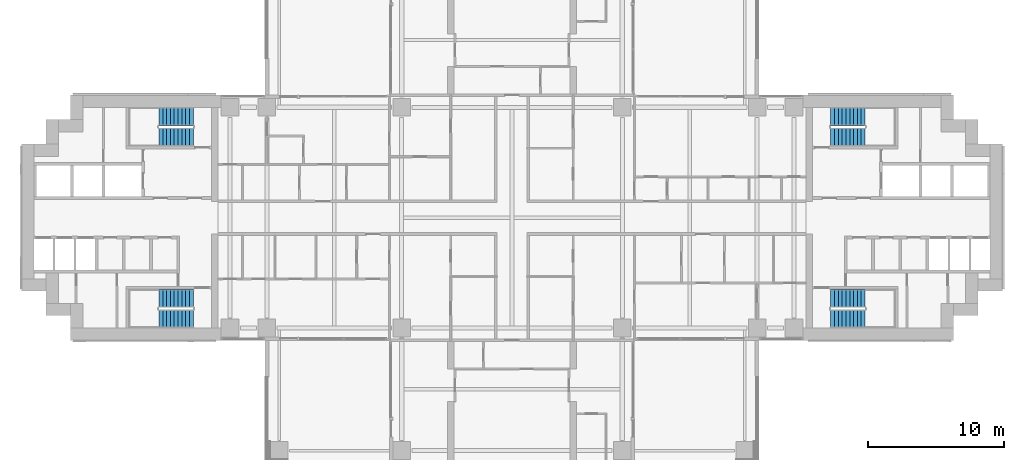
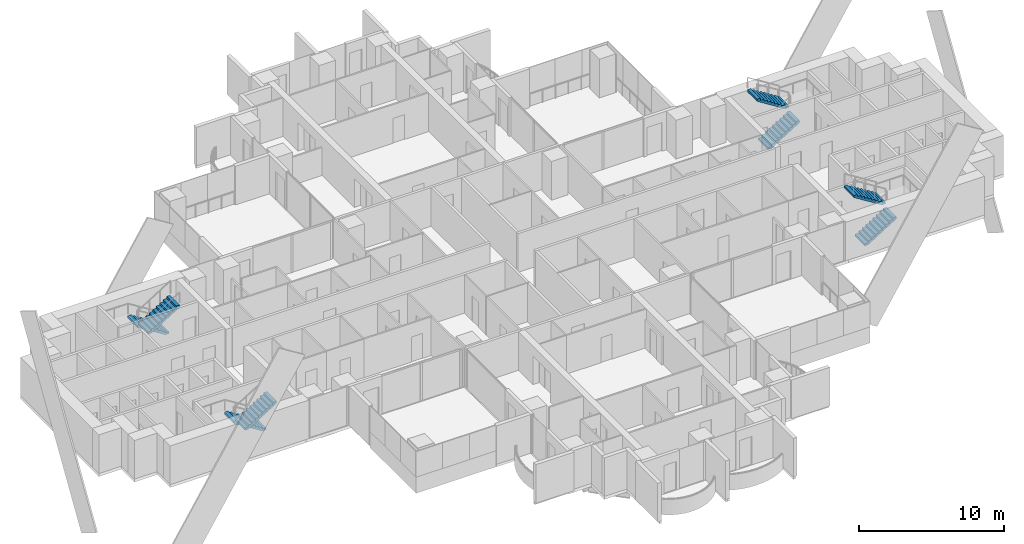
# One storey, part 18 of 23: 8 stair flights, 4 elements without a shape of their own.
"""IFC4 building model written with IfcOpenShell, lengths in metres."""

from ifc_helpers import new_model, si_unit, direction, frame, origin, place, context, subcontext, project, spatial, polyline, outline, extrude, material, type_object, element, aggregate, save


model = new_model("IFC4")

# Units and contexts
model_context = context("Model", 3, precision=1e-05, world=origin(), true_north=direction((0.0, 1.0)))
body_context = subcontext(model_context, "Body", "Model", "MODEL_VIEW")
ifc_project = project(units=[si_unit("LENGTHUNIT", "METRE"), si_unit("AREAUNIT", "SQUARE_METRE"), si_unit("VOLUMEUNIT", "CUBIC_METRE"), si_unit("PLANEANGLEUNIT", "RADIAN"), si_unit("MASSUNIT", "GRAM", prefix="KILO")], contexts=[model_context])

# Site, building, storey
site_placement = place(None, origin())
site = spatial("IfcSite", under=ifc_project, at=site_placement, CompositionType="ELEMENT")
building_placement = place(site_placement, origin())
building = spatial("IfcBuilding", under=site, at=building_placement, Name="Perihelion Cross Residences", CompositionType="ELEMENT")
storey_placement = place(building_placement, frame((0.0, 0.0, 36.5)))
storey = spatial("IfcBuildingStorey", under=building, at=storey_placement, Name="L05", CompositionType="ELEMENT", Elevation=36.5)

# Stair, stair flights
ifc_material_1 = material(Name="Concrete C40/50", Category="concrete")
stair_type = type_object("IfcStairType", Name="Exit stair, half-turn", PredefinedType="HALF_TURN_STAIR", material=ifc_material_1)
stair_1_placement = place(storey_placement, origin())
stair_1 = element("IfcStair", 1, at=stair_1_placement, inside=storey, type_object=stair_type, Name="L05 East core exit stair 1", PredefinedType="HALF_TURN_STAIR")
ifc_material_2 = material(Name="Concrete C40/50", Category="concrete")
stair_flight_type = type_object("IfcStairFlightType", Name="Exit stair flight", PredefinedType="STRAIGHT", material=ifc_material_2)
stair_flight_1_placement = place(storey_placement, frame((23.39990234375, 5.925048828125, 0.0), z_axis=(0.0, 0.0, 1.0), x_axis=(1.0, 0.0, 0.0)))
stair_flight_1 = element("IfcStairFlight", 2, at=stair_flight_1_placement, type_object=stair_flight_type, Name="ST-E1 flight 1", NumberOfRisers=10, NumberOfTreads=9, PredefinedType="STRAIGHT", RiserHeight=0.175, TreadLength=0.28, context=body_context, shape_type="SweptSolid", body=[
    extrude(outline(polyline([(0.0, 0.0), (0.0, 0.175048828125), (0.280029296875, 0.175048828125), (0.280029296875, 0.35009765625), (0.56005859375, 0.35009765625), (0.56005859375, 0.52490234375), (0.840087890625, 0.52490234375), (0.840087890625, 0.699951171875), (1.1201171875, 0.699951171875), (1.1201171875, 0.875), (1.39990234375, 0.875), (1.39990234375, 1.050048828125), (1.679931640625, 1.050048828125), (1.679931640625, 1.22509765625), (1.9599609375, 1.22509765625), (1.9599609375, 1.39990234375), (2.239990234375, 1.39990234375), (2.239990234375, 1.574951171875), (2.52001953125, 1.574951171875), (2.52001953125, 1.75), (2.52001953125, 1.398193359375), (0.28271484375, 0.0), (0.0, 0.0)])), frame((0.0, 0.675048828125, 0.0), z_axis=(0.0, -1.0, 0.0), x_axis=(1.0, 0.0, 0.0)), (0.0, 0.0, 1.0), 1.35009765625),
])
stair_flight_2_placement = place(storey_placement, frame((25.919921875, 7.425048828125, 1.75), z_axis=(0.0, 0.0, 1.0), x_axis=(-1.0, 0.0, 0.0)))
stair_flight_2 = element("IfcStairFlight", 3, at=stair_flight_2_placement, type_object=stair_flight_type, Name="ST-E1 flight 2", NumberOfRisers=10, NumberOfTreads=9, PredefinedType="STRAIGHT", RiserHeight=0.175, TreadLength=0.28, context=body_context, shape_type="SweptSolid", body=[
    extrude(outline(polyline([(0.0, 0.0), (0.0, 0.175048828125), (0.280029296875, 0.175048828125), (0.280029296875, 0.35009765625), (0.56005859375, 0.35009765625), (0.56005859375, 0.52490234375), (0.840087890625, 0.52490234375), (0.840087890625, 0.699951171875), (1.1201171875, 0.699951171875), (1.1201171875, 0.875), (1.39990234375, 0.875), (1.39990234375, 1.050048828125), (1.679931640625, 1.050048828125), (1.679931640625, 1.22509765625), (1.9599609375, 1.22509765625), (1.9599609375, 1.39990234375), (2.239990234375, 1.39990234375), (2.239990234375, 1.574951171875), (2.52001953125, 1.574951171875), (2.52001953125, 1.75), (2.52001953125, 1.398193359375), (0.28271484375, 0.0), (0.0, 0.0)])), frame((0.0, 0.675048828125, 0.0), z_axis=(0.0, -1.0, 0.0), x_axis=(1.0, 0.0, 0.0)), (0.0, 0.0, 1.0), 1.35009765625),
])
aggregate(stair_1, [stair_flight_1, stair_flight_2])

stair_2_placement = place(storey_placement, origin())
stair_2 = element("IfcStair", 4, at=stair_2_placement, inside=storey, type_object=stair_type, Name="L05 East core exit stair 2", PredefinedType="HALF_TURN_STAIR")
stair_flight_3_placement = place(storey_placement, frame((23.39990234375, -7.425048828125, 0.0), z_axis=(0.0, 0.0, 1.0), x_axis=(1.0, 0.0, 0.0)))
stair_flight_3 = element("IfcStairFlight", 5, at=stair_flight_3_placement, type_object=stair_flight_type, Name="ST-E2 flight 1", NumberOfRisers=10, NumberOfTreads=9, PredefinedType="STRAIGHT", RiserHeight=0.175, TreadLength=0.28, context=body_context, shape_type="SweptSolid", body=[
    extrude(outline(polyline([(0.0, 0.0), (0.0, 0.175048828125), (0.280029296875, 0.175048828125), (0.280029296875, 0.35009765625), (0.56005859375, 0.35009765625), (0.56005859375, 0.52490234375), (0.840087890625, 0.52490234375), (0.840087890625, 0.699951171875), (1.1201171875, 0.699951171875), (1.1201171875, 0.875), (1.39990234375, 0.875), (1.39990234375, 1.050048828125), (1.679931640625, 1.050048828125), (1.679931640625, 1.22509765625), (1.9599609375, 1.22509765625), (1.9599609375, 1.39990234375), (2.239990234375, 1.39990234375), (2.239990234375, 1.574951171875), (2.52001953125, 1.574951171875), (2.52001953125, 1.75), (2.52001953125, 1.398193359375), (0.28271484375, 0.0), (0.0, 0.0)])), frame((0.0, 0.675048828125, 0.0), z_axis=(0.0, -1.0, 0.0), x_axis=(1.0, 0.0, 0.0)), (0.0, 0.0, 1.0), 1.35009765625),
])
stair_flight_4_placement = place(storey_placement, frame((25.919921875, -5.925048828125, 1.75), z_axis=(0.0, 0.0, 1.0), x_axis=(-1.0, 0.0, 0.0)))
stair_flight_4 = element("IfcStairFlight", 6, at=stair_flight_4_placement, type_object=stair_flight_type, Name="ST-E2 flight 2", NumberOfRisers=10, NumberOfTreads=9, PredefinedType="STRAIGHT", RiserHeight=0.175, TreadLength=0.28, context=body_context, shape_type="SweptSolid", body=[
    extrude(outline(polyline([(0.0, 0.0), (0.0, 0.175048828125), (0.280029296875, 0.175048828125), (0.280029296875, 0.35009765625), (0.56005859375, 0.35009765625), (0.56005859375, 0.52490234375), (0.840087890625, 0.52490234375), (0.840087890625, 0.699951171875), (1.1201171875, 0.699951171875), (1.1201171875, 0.875), (1.39990234375, 0.875), (1.39990234375, 1.050048828125), (1.679931640625, 1.050048828125), (1.679931640625, 1.22509765625), (1.9599609375, 1.22509765625), (1.9599609375, 1.39990234375), (2.239990234375, 1.39990234375), (2.239990234375, 1.574951171875), (2.52001953125, 1.574951171875), (2.52001953125, 1.75), (2.52001953125, 1.398193359375), (0.28271484375, 0.0), (0.0, 0.0)])), frame((0.0, 0.675048828125, 0.0), z_axis=(0.0, -1.0, 0.0), x_axis=(1.0, 0.0, 0.0)), (0.0, 0.0, 1.0), 1.35009765625),
])
aggregate(stair_2, [stair_flight_3, stair_flight_4])

stair_3_placement = place(storey_placement, origin())
stair_3 = element("IfcStair", 7, at=stair_3_placement, inside=storey, type_object=stair_type, Name="L05 West core exit stair 1", PredefinedType="HALF_TURN_STAIR")
stair_flight_5_placement = place(storey_placement, frame((-23.39990234375, 7.425048828125, 0.0), z_axis=(0.0, 0.0, 1.0), x_axis=(-1.0, 0.0, 0.0)))
stair_flight_5 = element("IfcStairFlight", 8, at=stair_flight_5_placement, type_object=stair_flight_type, Name="ST-W1 flight 1", NumberOfRisers=10, NumberOfTreads=9, PredefinedType="STRAIGHT", RiserHeight=0.175, TreadLength=0.28, context=body_context, shape_type="SweptSolid", body=[
    extrude(outline(polyline([(0.0, 0.0), (0.0, 0.175048828125), (0.280029296875, 0.175048828125), (0.280029296875, 0.35009765625), (0.56005859375, 0.35009765625), (0.56005859375, 0.52490234375), (0.840087890625, 0.52490234375), (0.840087890625, 0.699951171875), (1.1201171875, 0.699951171875), (1.1201171875, 0.875), (1.39990234375, 0.875), (1.39990234375, 1.050048828125), (1.679931640625, 1.050048828125), (1.679931640625, 1.22509765625), (1.9599609375, 1.22509765625), (1.9599609375, 1.39990234375), (2.239990234375, 1.39990234375), (2.239990234375, 1.574951171875), (2.52001953125, 1.574951171875), (2.52001953125, 1.75), (2.52001953125, 1.398193359375), (0.28271484375, 0.0), (0.0, 0.0)])), frame((0.0, 0.675048828125, 0.0), z_axis=(0.0, -1.0, 0.0), x_axis=(1.0, 0.0, 0.0)), (0.0, 0.0, 1.0), 1.35009765625),
])
stair_flight_6_placement = place(storey_placement, frame((-25.919921875, 5.925048828125, 1.75), z_axis=(0.0, 0.0, 1.0), x_axis=(1.0, 0.0, 0.0)))
stair_flight_6 = element("IfcStairFlight", 9, at=stair_flight_6_placement, type_object=stair_flight_type, Name="ST-W1 flight 2", NumberOfRisers=10, NumberOfTreads=9, PredefinedType="STRAIGHT", RiserHeight=0.175, TreadLength=0.28, context=body_context, shape_type="SweptSolid", body=[
    extrude(outline(polyline([(0.0, 0.0), (0.0, 0.175048828125), (0.280029296875, 0.175048828125), (0.280029296875, 0.35009765625), (0.56005859375, 0.35009765625), (0.56005859375, 0.52490234375), (0.840087890625, 0.52490234375), (0.840087890625, 0.699951171875), (1.1201171875, 0.699951171875), (1.1201171875, 0.875), (1.39990234375, 0.875), (1.39990234375, 1.050048828125), (1.679931640625, 1.050048828125), (1.679931640625, 1.22509765625), (1.9599609375, 1.22509765625), (1.9599609375, 1.39990234375), (2.239990234375, 1.39990234375), (2.239990234375, 1.574951171875), (2.52001953125, 1.574951171875), (2.52001953125, 1.75), (2.52001953125, 1.398193359375), (0.28271484375, 0.0), (0.0, 0.0)])), frame((0.0, 0.675048828125, 0.0), z_axis=(0.0, -1.0, 0.0), x_axis=(1.0, 0.0, 0.0)), (0.0, 0.0, 1.0), 1.35009765625),
])
aggregate(stair_3, [stair_flight_5, stair_flight_6])

stair_4_placement = place(storey_placement, origin())
stair_4 = element("IfcStair", 10, at=stair_4_placement, inside=storey, type_object=stair_type, Name="L05 West core exit stair 2", PredefinedType="HALF_TURN_STAIR")
stair_flight_7_placement = place(storey_placement, frame((-23.39990234375, -5.925048828125, 0.0), z_axis=(0.0, 0.0, 1.0), x_axis=(-1.0, 0.0, 0.0)))
stair_flight_7 = element("IfcStairFlight", 11, at=stair_flight_7_placement, type_object=stair_flight_type, Name="ST-W2 flight 1", NumberOfRisers=10, NumberOfTreads=9, PredefinedType="STRAIGHT", RiserHeight=0.175, TreadLength=0.28, context=body_context, shape_type="SweptSolid", body=[
    extrude(outline(polyline([(0.0, 0.0), (0.0, 0.175048828125), (0.280029296875, 0.175048828125), (0.280029296875, 0.35009765625), (0.56005859375, 0.35009765625), (0.56005859375, 0.52490234375), (0.840087890625, 0.52490234375), (0.840087890625, 0.699951171875), (1.1201171875, 0.699951171875), (1.1201171875, 0.875), (1.39990234375, 0.875), (1.39990234375, 1.050048828125), (1.679931640625, 1.050048828125), (1.679931640625, 1.22509765625), (1.9599609375, 1.22509765625), (1.9599609375, 1.39990234375), (2.239990234375, 1.39990234375), (2.239990234375, 1.574951171875), (2.52001953125, 1.574951171875), (2.52001953125, 1.75), (2.52001953125, 1.398193359375), (0.28271484375, 0.0), (0.0, 0.0)])), frame((0.0, 0.675048828125, 0.0), z_axis=(0.0, -1.0, 0.0), x_axis=(1.0, 0.0, 0.0)), (0.0, 0.0, 1.0), 1.35009765625),
])
stair_flight_8_placement = place(storey_placement, frame((-25.919921875, -7.425048828125, 1.75), z_axis=(0.0, 0.0, 1.0), x_axis=(1.0, 0.0, 0.0)))
stair_flight_8 = element("IfcStairFlight", 12, at=stair_flight_8_placement, type_object=stair_flight_type, Name="ST-W2 flight 2", NumberOfRisers=10, NumberOfTreads=9, PredefinedType="STRAIGHT", RiserHeight=0.175, TreadLength=0.28, context=body_context, shape_type="SweptSolid", body=[
    extrude(outline(polyline([(0.0, 0.0), (0.0, 0.175048828125), (0.280029296875, 0.175048828125), (0.280029296875, 0.35009765625), (0.56005859375, 0.35009765625), (0.56005859375, 0.52490234375), (0.840087890625, 0.52490234375), (0.840087890625, 0.699951171875), (1.1201171875, 0.699951171875), (1.1201171875, 0.875), (1.39990234375, 0.875), (1.39990234375, 1.050048828125), (1.679931640625, 1.050048828125), (1.679931640625, 1.22509765625), (1.9599609375, 1.22509765625), (1.9599609375, 1.39990234375), (2.239990234375, 1.39990234375), (2.239990234375, 1.574951171875), (2.52001953125, 1.574951171875), (2.52001953125, 1.75), (2.52001953125, 1.398193359375), (0.28271484375, 0.0), (0.0, 0.0)])), frame((0.0, 0.675048828125, 0.0), z_axis=(0.0, -1.0, 0.0), x_axis=(1.0, 0.0, 0.0)), (0.0, 0.0, 1.0), 1.35009765625),
])
aggregate(stair_4, [stair_flight_7, stair_flight_8])

save(model, "model.ifc")
